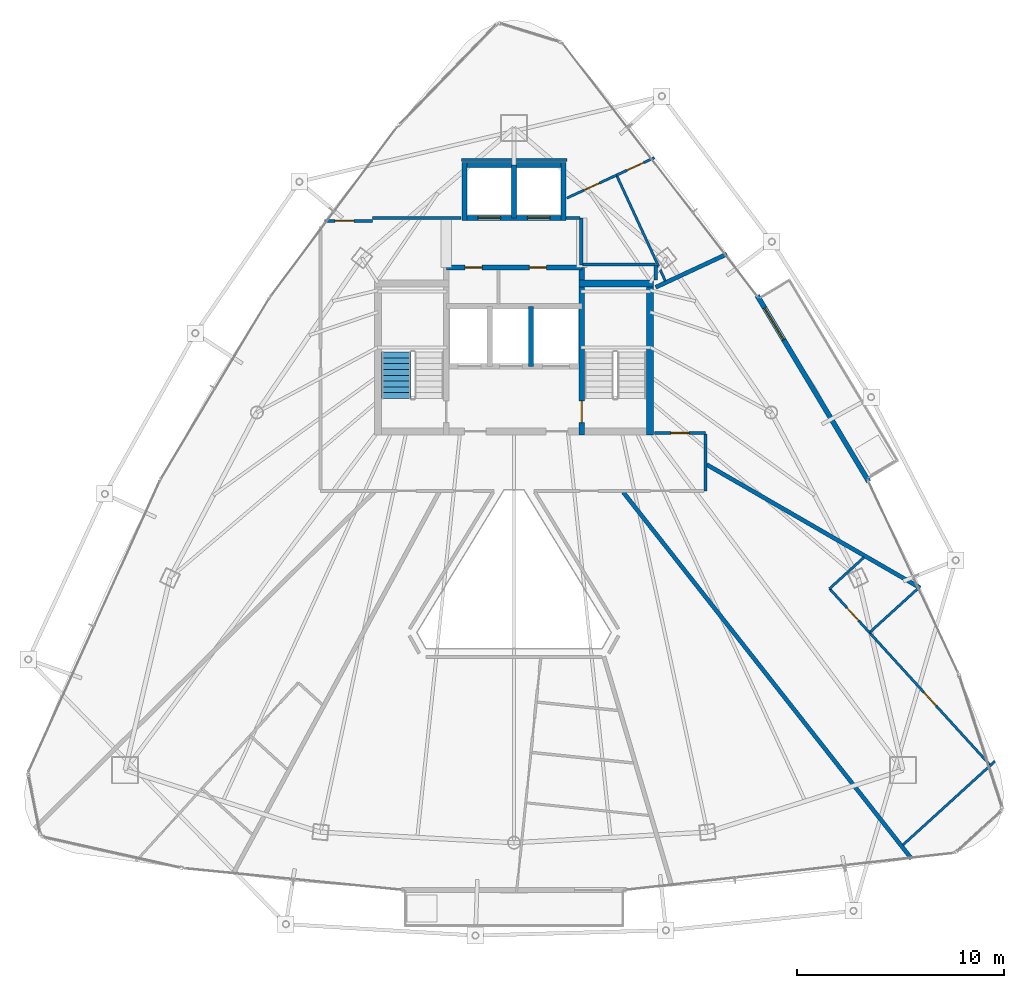
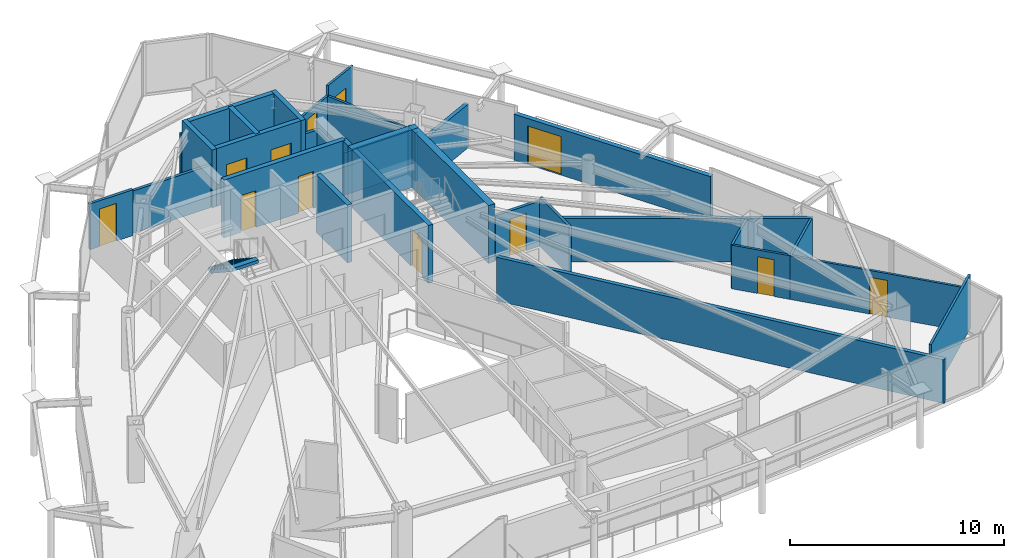
# One storey, part 30 of 34: 31 walls, 12 doors, 1 stair flight, 12 openings, 1 element without a shape of its own.
"""IFC4 building model written with IfcOpenShell, lengths in metres."""

from ifc_helpers import new_model, si_unit, direction, frame, frame_2d, origin, place, context, subcontext, project, spatial, polyline, rectangle, outline, extrude, material, layer, layer_set, type_object, element, fill, aggregate, save


model = new_model("IFC4")

# Units and contexts
model_context = context("Model", 3, precision=1e-05, world=origin(), true_north=direction((0.0, 1.0)))
body_context = subcontext(model_context, "Body", "Model", "MODEL_VIEW")
ifc_project = project(units=[si_unit("LENGTHUNIT", "METRE"), si_unit("AREAUNIT", "SQUARE_METRE"), si_unit("VOLUMEUNIT", "CUBIC_METRE"), si_unit("PLANEANGLEUNIT", "RADIAN"), si_unit("MASSUNIT", "GRAM", prefix="KILO")], contexts=[model_context])

# Site, building, storey
site_placement = place(None, origin())
site = spatial("IfcSite", under=ifc_project, at=site_placement, CompositionType="ELEMENT")
building_placement = place(site_placement, origin())
building = spatial("IfcBuilding", under=site, at=building_placement, Name="Orvanel Arch Residences", CompositionType="ELEMENT")
storey_placement = place(building_placement, frame((0.0, 0.0, 203.0)))
storey = spatial("IfcBuildingStorey", under=building, at=storey_placement, Name="L57", CompositionType="ELEMENT", Elevation=203.0)

# Wall, opening, door
ifc_material_1 = material(Name="Precast concrete N50 (50 MPa)", Category="concrete")
ifc_layer_1 = layer(ifc_material_1, 0.239990234375)
ifc_layer_set_1 = layer_set([ifc_layer_1], Name="Precast concrete N50 (50 MPa)")
wall_type_1 = type_object("IfcWallType", Name="EW-BAL-240", PredefinedType="SOLIDWALL", material=ifc_layer_set_1)
wall_1_placement = place(storey_placement, frame((50.14892578125, 24.300048828125, 0.0), z_axis=(0.0, 0.0, 1.0), x_axis=(-0.514406779101, 0.857546305231, 0.0)))
wall_1 = element("IfcWall", 1, at=wall_1_placement, inside=storey, type_object=wall_type_1, Name="L57 Balcony Threshold Wall Face 3", PredefinedType="SOLIDWALL", context=body_context, shape_type="SweptSolid", body=[
    extrude(rectangle(XDim=10.49169921875, YDim=0.239990234375, at=frame_2d((5.245849609375, 0.0))), origin(), (0.0, 0.0, 1.0), 2.6240234375),
])
opening_1_placement = place(wall_1_placement, frame((7.993896484375, 0.0, 0.0)))
opening_1 = element("IfcOpeningElement", 2, at=opening_1_placement, cuts=wall_1, Name="Opening DB-180", PredefinedType="OPENING", context=body_context, shape_type="SweptSolid", body=[
    extrude(rectangle(XDim=1.800048828125, YDim=2.199951171875, at=frame_2d((0.89990234375, 1.10009765625))), frame((0.0, 0.1298828125, 0.0), z_axis=(0.0, -1.0, 0.0), x_axis=(1.0, 0.0, 0.0)), (0.0, 0.0, 1.0), 0.260009765625),
])
ifc_material_2 = material(Name="Bronze-anodised aluminium AA6063-T6", Category="aluminium")
door_type_1 = type_object("IfcDoorType", Name="DR-BAL-1800", OperationType="NOTDEFINED", PredefinedType="DOOR", material=ifc_material_2)
door_1_placement = place(opening_1_placement, origin())
door_1 = element("IfcDoor", 3, at=door_1_placement, inside=storey, type_object=door_type_1, Name="DR-L57-BAL-F3 L57 Planted Balcony Access Door Face 3", OperationType="SINGLE_SWING_LEFT", OverallHeight=2.199951171875, OverallWidth=1.800048828125, PredefinedType="DOOR", context=body_context, shape_type="SweptSolid", body=[
    extrude(rectangle(XDim=1.800048828125, YDim=2.199951171875, at=frame_2d((0.89990234375, 1.10009765625))), frame((0.0, 0.02490234375, 0.0), z_axis=(0.0, -1.0, 0.0), x_axis=(1.0, 0.0, 0.0)), (0.0, 0.0, 1.0), 0.050048828125),
])
fill(opening_1, door_1)

ifc_material_3 = material(Name="Concrete N50 (50 MPa)", Category="concrete")
ifc_layer_2 = layer(ifc_material_3, 0.25)
ifc_layer_set_2 = layer_set([ifc_layer_2], Name="Concrete N50 (50 MPa)")
wall_type_2 = type_object("IfcWallType", Name="SW-CORE-250", PredefinedType="SHEAR", material=ifc_layer_set_2)
wall_2_placement = place(storey_placement, frame((36.27490234375, 26.550048828125, 0.0), z_axis=(0.0, 0.0, 1.0), x_axis=(0.0, 1.0, 0.0)))
wall_2 = element("IfcWall", 4, at=wall_2_placement, inside=storey, type_object=wall_type_2, Name="L57 East Inner Core Spine Shear Wall", PredefinedType="SHEAR", context=body_context, shape_type="SweptSolid", body=[
    extrude(rectangle(XDim=8.099853515625, YDim=0.25, at=frame_2d((4.0498046875, 0.0))), origin(), (0.0, 0.0, 1.0), 3.300048828125),
])
opening_2_placement = place(wall_2_placement, frame((0.60009765625, 0.0, 0.0)))
opening_2 = element("IfcOpeningElement", 5, at=opening_2_placement, cuts=wall_2, Name="Opening DF-120", PredefinedType="OPENING", context=body_context, shape_type="SweptSolid", body=[
    extrude(rectangle(XDim=1.050048828125, YDim=2.14990234375, at=frame_2d((0.52490234375, 1.074951171875))), frame((0.0, 0.135009765625, 0.0), z_axis=(0.0, -1.0, 0.0), x_axis=(1.0, 0.0, 0.0)), (0.0, 0.0, 1.0), 0.27001953125),
])
ifc_material_4 = material(Name="Galvanised steel fire-resisting door assembly", Category="steel")
door_type_2 = type_object("IfcDoorType", Name="DR-FD120-1050", OperationType="NOTDEFINED", PredefinedType="DOOR", material=ifc_material_4)
door_2_placement = place(opening_2_placement, origin())
door_2 = element("IfcDoor", 6, at=door_2_placement, inside=storey, type_object=door_type_2, Name="DR-L57-ST2 L57 Stair 2 Fire Door", OperationType="SINGLE_SWING_RIGHT", OverallHeight=2.14990234375, OverallWidth=1.050048828125, PredefinedType="DOOR", context=body_context, shape_type="SweptSolid", body=[
    extrude(rectangle(XDim=1.050048828125, YDim=2.14990234375, at=frame_2d((0.52490234375, 1.074951171875))), frame((0.0, 0.02490234375, 0.0), z_axis=(0.0, -1.0, 0.0), x_axis=(1.0, 0.0, 0.0)), (0.0, 0.0, 1.0), 0.050048828125),
])
fill(opening_2, door_2)

# Wall
wall_3_placement = place(storey_placement, frame((33.824951171875, 29.875, 0.0), z_axis=(0.0, 0.0, 1.0), x_axis=(0.0, 1.0, 0.0)))
element("IfcWall", 7, at=wall_3_placement, inside=storey, type_object=wall_type_2, Name="L57 Emergency Lift Inter-Shaft Wall F2G", PredefinedType="SHEAR", context=body_context, shape_type="SweptSolid", body=[
    extrude(rectangle(XDim=2.89990234375, YDim=0.25, at=frame_2d((1.449951171875, 0.0))), origin(), (0.0, 0.0, 1.0), 3.300048828125),
])

# Wall, openings, doors
wall_4_placement = place(storey_placement, frame((29.72509765625, 34.64990234375, 0.0), z_axis=(0.0, 0.0, 1.0), x_axis=(1.0, 0.0, 0.0)))
wall_4 = element("IfcWall", 8, at=wall_4_placement, inside=storey, type_object=wall_type_2, Name="L57 Core Service Band North Shear Wall", PredefinedType="SHEAR", context=body_context, shape_type="SweptSolid", body=[
    extrude(rectangle(XDim=6.5498046875, YDim=0.25, at=frame_2d((3.27490234375, 0.0))), origin(), (0.0, 0.0, 1.0), 3.300048828125),
])
opening_3_placement = place(wall_4_placement, frame((0.9150390625, 0.0, 0.0)))
opening_3 = element("IfcOpeningElement", 9, at=opening_3_placement, cuts=wall_4, Name="Opening DS-082", PredefinedType="OPENING", context=body_context, shape_type="SweptSolid", body=[
    extrude(rectangle(XDim=0.820068359375, YDim=2.10009765625, at=frame_2d((0.41015625, 1.050048828125))), frame((0.0, 0.135009765625, 0.0), z_axis=(0.0, -1.0, 0.0), x_axis=(1.0, 0.0, 0.0)), (0.0, 0.0, 1.0), 0.27001953125),
])
opening_4_placement = place(wall_4_placement, frame((4.014892578125, 0.0, 0.0)))
opening_4 = element("IfcOpeningElement", 10, at=opening_4_placement, cuts=wall_4, Name="Opening DW-082", PredefinedType="OPENING", context=body_context, shape_type="SweptSolid", body=[
    extrude(rectangle(XDim=0.820068359375, YDim=2.10009765625, at=frame_2d((0.41015625, 1.050048828125))), frame((0.0, 0.135009765625, 0.0), z_axis=(0.0, -1.0, 0.0), x_axis=(1.0, 0.0, 0.0)), (0.0, 0.0, 1.0), 0.27001953125),
])
door_type_3 = type_object("IfcDoorType", Name="DR-SVC-820", OperationType="NOTDEFINED", PredefinedType="DOOR", material=ifc_material_4)
door_3_placement = place(opening_3_placement, origin())
door_3 = element("IfcDoor", 11, at=door_3_placement, inside=storey, type_object=door_type_3, Name="DR-L57-CSVC-1 L57 Floor Cleaner's Store Door", OperationType="SINGLE_SWING_LEFT", OverallHeight=2.10009765625, OverallWidth=0.820068359375, PredefinedType="DOOR", context=body_context, shape_type="SweptSolid", body=[
    extrude(rectangle(XDim=0.820068359375, YDim=2.10009765625, at=frame_2d((0.41015625, 1.050048828125))), frame((0.0, 0.02490234375, 0.0), z_axis=(0.0, -1.0, 0.0), x_axis=(1.0, 0.0, 0.0)), (0.0, 0.0, 1.0), 0.050048828125),
])
fill(opening_3, door_3)
ifc_material_5 = material(Name="Solid-core European oak veneer fire door leaf", Category="wood")
door_type_4 = type_object("IfcDoorType", Name="DR-WET-820", OperationType="NOTDEFINED", PredefinedType="DOOR", material=ifc_material_5)
door_4_placement = place(opening_4_placement, origin())
door_4 = element("IfcDoor", 12, at=door_4_placement, inside=storey, type_object=door_type_4, Name="DR-L57-CSVC-2 L57 Core Accessible WC Door", OperationType="SINGLE_SWING_LEFT", OverallHeight=2.10009765625, OverallWidth=0.820068359375, PredefinedType="DOOR", context=body_context, shape_type="SweptSolid", body=[
    extrude(rectangle(XDim=0.820068359375, YDim=2.10009765625, at=frame_2d((0.41015625, 1.050048828125))), frame((0.0, 0.02490234375, 0.0), z_axis=(0.0, -1.0, 0.0), x_axis=(1.0, 0.0, 0.0)), (0.0, 0.0, 1.0), 0.050048828125),
])
fill(opening_4, door_4)

wall_5_placement = place(storey_placement, frame((35.52490234375, 37.050048828125, 0.0), z_axis=(0.0, 0.0, 1.0), x_axis=(-1.0, 0.0, 0.0)))
wall_5 = element("IfcWall", 13, at=wall_5_placement, inside=storey, type_object=wall_type_2, Name="L57 Passenger Lift Bank Front Shear Wall", PredefinedType="SHEAR", context=body_context, shape_type="SweptSolid", body=[
    extrude(rectangle(XDim=5.0498046875, YDim=0.25, at=frame_2d((2.52490234375, 0.0))), origin(), (0.0, 0.0, 1.0), 3.300048828125),
])
opening_5_placement = place(wall_5_placement, frame((3.175048828125, 0.0, 0.0)))
opening_5 = element("IfcOpeningElement", 14, at=opening_5_placement, cuts=wall_5, Name="Opening LD-110", PredefinedType="OPENING", context=body_context, shape_type="SweptSolid", body=[
    extrude(rectangle(XDim=1.10009765625, YDim=2.199951171875, at=frame_2d((0.550048828125, 1.10009765625))), frame((0.0, 0.135009765625, 0.0), z_axis=(0.0, -1.0, 0.0), x_axis=(1.0, 0.0, 0.0)), (0.0, 0.0, 1.0), 0.27001953125),
])
opening_6_placement = place(wall_5_placement, frame((0.77490234375, 0.0, 0.0)))
opening_6 = element("IfcOpeningElement", 15, at=opening_6_placement, cuts=wall_5, Name="Opening LD-110", PredefinedType="OPENING", context=body_context, shape_type="SweptSolid", body=[
    extrude(rectangle(XDim=1.10009765625, YDim=2.199951171875, at=frame_2d((0.550048828125, 1.10009765625))), frame((0.0, 0.135009765625, 0.0), z_axis=(0.0, -1.0, 0.0), x_axis=(1.0, 0.0, 0.0)), (0.0, 0.0, 1.0), 0.27001953125),
])
door_type_5 = type_object("IfcDoorType", Name="DR-LFT-1100", OperationType="NOTDEFINED", PredefinedType="DOOR", material=ifc_material_4)
door_5_placement = place(opening_5_placement, origin())
door_5 = element("IfcDoor", 16, at=door_5_placement, inside=storey, type_object=door_type_5, Name="LD-P5-L57 L57 Passenger Lift P5 Sliding Landing Door", OperationType="DOUBLE_DOOR_SLIDING", OverallHeight=2.199951171875, OverallWidth=1.10009765625, PredefinedType="DOOR", context=body_context, shape_type="SweptSolid", body=[
    extrude(rectangle(XDim=1.10009765625, YDim=2.199951171875, at=frame_2d((0.550048828125, 1.10009765625))), frame((0.0, 0.02490234375, 0.0), z_axis=(0.0, -1.0, 0.0), x_axis=(1.0, 0.0, 0.0)), (0.0, 0.0, 1.0), 0.050048828125),
])
fill(opening_5, door_5)
door_6_placement = place(opening_6_placement, origin())
door_6 = element("IfcDoor", 17, at=door_6_placement, inside=storey, type_object=door_type_5, Name="LD-P6-L57 L57 Passenger Lift P6 Sliding Landing Door", OperationType="DOUBLE_DOOR_SLIDING", OverallHeight=2.199951171875, OverallWidth=1.10009765625, PredefinedType="DOOR", context=body_context, shape_type="SweptSolid", body=[
    extrude(rectangle(XDim=1.10009765625, YDim=2.199951171875, at=frame_2d((0.550048828125, 1.10009765625))), frame((0.0, 0.02490234375, 0.0), z_axis=(0.0, -1.0, 0.0), x_axis=(1.0, 0.0, 0.0)), (0.0, 0.0, 1.0), 0.050048828125),
])
fill(opening_6, door_6)

# Walls
wall_6_placement = place(storey_placement, frame((30.47509765625, 39.60009765625, 0.0), z_axis=(0.0, 0.0, 1.0), x_axis=(1.0, 0.0, 0.0)))
element("IfcWall", 18, at=wall_6_placement, inside=storey, type_object=wall_type_2, Name="L57 Passenger Lift Bank North Shear Wall", PredefinedType="SHEAR", context=body_context, shape_type="SweptSolid", body=[
    extrude(rectangle(XDim=5.0498046875, YDim=0.25, at=frame_2d((2.52490234375, 0.0))), origin(), (0.0, 0.0, 1.0), 3.300048828125),
])
for number, where, z_axis, x_axis, name in (
    (19, (30.60009765625, 36.925048828125, 0.0), (0.0, 0.0, 1.0), (0.0, 1.0, 0.0), "L57 Passenger Lift Bank West Shear Wall"),
    (20, (35.39990234375, 36.925048828125, 0.0), (0.0, 0.0, 1.0), (0.0, 1.0, 0.0), "L57 Passenger Lift Bank East Shear Wall"),
):
    element("IfcWall", number, at=place(storey_placement, frame(where, z_axis=z_axis, x_axis=x_axis)), inside=storey, type_object=wall_type_2, Name=name, PredefinedType="SHEAR", context=body_context, shape_type="SweptSolid", body=[
        extrude(rectangle(XDim=2.800048828125, YDim=0.25, at=frame_2d((1.39990234375, 0.0))), origin(), (0.0, 0.0, 1.0), 3.300048828125),
    ])
wall_7_placement = place(storey_placement, frame((33.0, 37.050048828125, 0.0), z_axis=(0.0, 0.0, 1.0), x_axis=(0.0, 1.0, 0.0)))
element("IfcWall", 21, at=wall_7_placement, inside=storey, type_object=wall_type_2, Name="L57 Passenger Lift Inter-Shaft Wall P56", PredefinedType="SHEAR", context=body_context, shape_type="SweptSolid", body=[
    extrude(rectangle(XDim=2.550048828125, YDim=0.25, at=frame_2d((1.27490234375, 0.0))), origin(), (0.0, 0.0, 1.0), 3.300048828125),
])
ifc_layer_3 = layer(ifc_material_3, 0.35009765625)
ifc_layer_set_3 = layer_set([ifc_layer_3], Name="Concrete N50 (50 MPa)")
wall_type_3 = type_object("IfcWallType", Name="SW-CORE-350", PredefinedType="SHEAR", material=ifc_layer_set_3)
wall_8_placement = place(storey_placement, frame((39.574951171875, 26.550048828125, 0.0), z_axis=(0.0, 0.0, 1.0), x_axis=(0.0, 1.0, 0.0)))
element("IfcWall", 22, at=wall_8_placement, inside=storey, type_object=wall_type_3, Name="L57 East Stair Shear Wall", PredefinedType="SHEAR", context=body_context, shape_type="SweptSolid", body=[
    extrude(rectangle(XDim=7.5, YDim=0.35009765625, at=frame_2d((3.75, 0.0))), origin(), (0.0, 0.0, 1.0), 3.300048828125),
])
wall_9_placement = place(storey_placement, frame((36.14990234375, 33.875, 0.0), z_axis=(0.0, 0.0, 1.0), x_axis=(1.0, 0.0, 0.0)))
element("IfcWall", 23, at=wall_9_placement, inside=storey, type_object=wall_type_3, Name="L57 East Stair North Shear Wall", PredefinedType="SHEAR", context=body_context, shape_type="SweptSolid", body=[
    extrude(rectangle(XDim=3.60009765625, YDim=0.35009765625, at=frame_2d((1.800048828125, 0.0))), origin(), (0.0, 0.0, 1.0), 3.300048828125),
])
ifc_material_6 = material(Name="Fire-rated plasterboard lined steel stud partition", Category="steel")
ifc_layer_4 = layer(ifc_material_6, 0.14990234375)
ifc_layer_set_4 = layer_set([ifc_layer_4], Name="Fire-rated plasterboard lined steel stud partition")
wall_type_4 = type_object("IfcWallType", Name="W-COR-150", PredefinedType="PARTITIONING", material=ifc_layer_set_4)
wall_10_placement = place(storey_placement, frame((36.25, 34.760009765625, 0.0), z_axis=(0.0, 0.0, 1.0), x_axis=(0.0, 1.0, 0.0)))
element("IfcWall", 24, at=wall_10_placement, inside=storey, type_object=wall_type_4, Name="L57 Passenger Lift Lobby East Closure Wall", PredefinedType="PARTITIONING", context=body_context, shape_type="SweptSolid", body=[
    extrude(rectangle(XDim=2.2900390625, YDim=0.14990234375, at=frame_2d((1.14501953125, 0.0))), origin(), (0.0, 0.0, 1.0), 2.425048828125),
])
wall_11_placement = place(storey_placement, frame((35.52490234375, 37.050048828125, 0.0), z_axis=(0.0, 0.0, 1.0), x_axis=(1.0, 0.0, 0.0)))
element("IfcWall", 25, at=wall_11_placement, inside=storey, type_object=wall_type_4, Name="L57 Passenger Lift Lobby North-East Wall", PredefinedType="PARTITIONING", context=body_context, shape_type="SweptSolid", body=[
    extrude(rectangle(XDim=0.6650390625, YDim=0.14990234375, at=frame_2d((0.33251953125, 0.0))), origin(), (0.0, 0.0, 1.0), 2.425048828125),
])

# Wall, opening, door
wall_12_placement = place(storey_placement, frame((23.8310546875, 36.89990234375, 0.0), z_axis=(0.0, 0.0, 1.0), x_axis=(1.0, 0.0, 0.0)))
wall_12 = element("IfcWall", 26, at=wall_12_placement, inside=storey, type_object=wall_type_4, Name="L57 Corridor Fire-Rated Partition", PredefinedType="PARTITIONING", context=body_context, shape_type="SweptSolid", body=[
    extrude(rectangle(XDim=2.31884765625, YDim=0.14990234375, at=frame_2d((1.159423828125, 0.0))), origin(), (0.0, 0.0, 1.0), 2.618896484375),
])
opening_7_placement = place(wall_12_placement, frame((0.510009765625, 0.0, 0.0)))
opening_7 = element("IfcOpeningElement", 27, at=opening_7_placement, cuts=wall_12, Name="Opening DA-092", PredefinedType="OPENING", context=body_context, shape_type="SweptSolid", body=[
    extrude(rectangle(XDim=0.919921875, YDim=2.14990234375, at=frame_2d((0.4599609375, 1.074951171875))), frame((0.0, 0.0849609375, 0.0), z_axis=(0.0, -1.0, 0.0), x_axis=(1.0, 0.0, 0.0)), (0.0, 0.0, 1.0), 0.169921875),
])
door_type_6 = type_object("IfcDoorType", Name="DR-APT-920", OperationType="NOTDEFINED", PredefinedType="DOOR", material=ifc_material_5)
door_7_placement = place(opening_7_placement, origin())
door_7 = element("IfcDoor", 28, at=door_7_placement, inside=storey, type_object=door_type_6, Name="DR-L57-F-ENT L57 Studio F Entrance Door", OperationType="SINGLE_SWING_LEFT", OverallHeight=2.14990234375, OverallWidth=0.919921875, PredefinedType="DOOR", context=body_context, shape_type="SweptSolid", body=[
    extrude(rectangle(XDim=0.919921875, YDim=2.14990234375, at=frame_2d((0.4599609375, 1.074951171875))), frame((0.0, 0.02490234375, 0.0), z_axis=(0.0, -1.0, 0.0), x_axis=(1.0, 0.0, 0.0)), (0.0, 0.0, 1.0), 0.050048828125),
])
fill(opening_7, door_7)

wall_13_placement = place(storey_placement, frame((39.7900390625, 26.64990234375, 0.0), z_axis=(0.0, 0.0, 1.0), x_axis=(1.0, 0.0, 0.0)))
wall_13 = element("IfcWall", 29, at=wall_13_placement, inside=storey, type_object=wall_type_4, Name="L57 Corridor Fire-Rated Partition", PredefinedType="PARTITIONING", context=body_context, shape_type="SweptSolid", body=[
    extrude(rectangle(XDim=2.4599609375, YDim=0.14990234375, at=frame_2d((1.22998046875, 0.0))), origin(), (0.0, 0.0, 1.0), 2.56494140625),
])
opening_8_placement = place(wall_13_placement, frame((0.7900390625, 0.0, 0.0)))
opening_8 = element("IfcOpeningElement", 30, at=opening_8_placement, cuts=wall_13, Name="Opening DI-088", PredefinedType="OPENING", context=body_context, shape_type="SweptSolid", body=[
    extrude(rectangle(XDim=0.8798828125, YDim=2.10009765625, at=frame_2d((0.43994140625, 1.050048828125))), frame((0.0, 0.0849609375, 0.0), z_axis=(0.0, -1.0, 0.0), x_axis=(1.0, 0.0, 0.0)), (0.0, 0.0, 1.0), 0.169921875),
])
door_type_7 = type_object("IfcDoorType", Name="DR-INT-880", OperationType="NOTDEFINED", PredefinedType="DOOR", material=ifc_material_5)
door_8_placement = place(opening_8_placement, origin())
door_8 = element("IfcDoor", 31, at=door_8_placement, inside=storey, type_object=door_type_7, Name="DR-L57-SHRD-FB7 L57 Co-Working Study Office G Door", OperationType="SINGLE_SWING_LEFT", OverallHeight=2.10009765625, OverallWidth=0.8798828125, PredefinedType="DOOR", context=body_context, shape_type="SweptSolid", body=[
    extrude(rectangle(XDim=0.8798828125, YDim=2.10009765625, at=frame_2d((0.43994140625, 1.050048828125))), frame((0.0, 0.02490234375, 0.0), z_axis=(0.0, -1.0, 0.0), x_axis=(1.0, 0.0, 0.0)), (0.0, 0.0, 1.0), 0.050048828125),
])
fill(opening_8, door_8)

# Walls
wall_14_placement = place(storey_placement, frame((42.25, 26.590087890625, 0.0), z_axis=(0.0, 0.0, 1.0), x_axis=(0.0, -1.0, 0.0)))
element("IfcWall", 32, at=wall_14_placement, inside=storey, type_object=wall_type_4, Name="L57 Corridor Fire-Rated Partition", PredefinedType="PARTITIONING", context=body_context, shape_type="SweptSolid", body=[
    extrude(rectangle(XDim=2.739990234375, YDim=0.14990234375, at=frame_2d((1.3701171875, 0.0))), origin(), (0.0, 0.0, 1.0), 2.77294921875),
])
wall_15_placement = place(storey_placement, frame((26.14990234375, 37.050048828125, 0.0), z_axis=(0.0, 0.0, 1.0), x_axis=(1.0, 0.0, 0.0)))
element("IfcWall", 33, at=wall_15_placement, inside=storey, type_object=wall_type_4, Name="L57 Core Perimeter Partition", PredefinedType="PARTITIONING", context=body_context, shape_type="SweptSolid", body=[
    extrude(rectangle(XDim=4.300048828125, YDim=0.14990234375, at=frame_2d((2.14990234375, 0.0))), origin(), (0.0, 0.0, 1.0), 2.425048828125),
])
wall_16_placement = place(storey_placement, frame((30.449951171875, 39.85009765625, 0.0), z_axis=(0.0, 0.0, 1.0), x_axis=(1.0, 0.0, 0.0)))
element("IfcWall", 34, at=wall_16_placement, inside=storey, type_object=wall_type_4, Name="L57 Core Perimeter Partition", PredefinedType="PARTITIONING", context=body_context, shape_type="SweptSolid", body=[
    extrude(rectangle(XDim=5.10009765625, YDim=0.14990234375, at=frame_2d((2.550048828125, 0.0))), origin(), (0.0, 0.0, 1.0), 2.491943359375),
])
wall_17_placement = place(storey_placement, frame((36.31005859375, 34.800048828125, 0.0), z_axis=(0.0, 0.0, 1.0), x_axis=(1.0, 0.0, 0.0)))
element("IfcWall", 35, at=wall_17_placement, inside=storey, type_object=wall_type_4, Name="L57 Core Perimeter Partition", PredefinedType="PARTITIONING", context=body_context, shape_type="SweptSolid", body=[
    extrude(rectangle(XDim=3.5400390625, YDim=0.14990234375, at=frame_2d((1.77001953125, 0.0))), origin(), (0.0, 0.0, 1.0), 2.425048828125),
])
wall_18_placement = place(storey_placement, frame((39.85009765625, 34.739990234375, 0.0), z_axis=(0.0, 0.0, 1.0), x_axis=(0.0, -1.0, 0.0)))
element("IfcWall", 36, at=wall_18_placement, inside=storey, type_object=wall_type_4, Name="L57 Core Perimeter Partition", PredefinedType="PARTITIONING", context=body_context, shape_type="SweptSolid", body=[
    extrude(rectangle(XDim=0.68994140625, YDim=0.14990234375, at=frame_2d((0.344970703125, 0.0))), origin(), (0.0, 0.0, 1.0), 2.77294921875),
])
ifc_layer_5 = layer(ifc_material_6, 0.199951171875)
ifc_layer_set_5 = layer_set([ifc_layer_5], Name="Fire-rated plasterboard lined steel stud partition")
wall_type_5 = type_object("IfcWallType", Name="W-DEM-200", PredefinedType="PARTITIONING", material=ifc_layer_set_5)
wall_19_placement = place(storey_placement, frame((52.214111328125, 6.072998046875, 0.0), z_axis=(0.0, 0.0, 1.0), x_axis=(-0.618246700658, 0.785984107425, 0.0)))
element("IfcWall", 37, at=wall_19_placement, inside=storey, type_object=wall_type_5, Name="L57 Inter-Tenancy Acoustic Demising Wall", PredefinedType="PARTITIONING", context=body_context, shape_type="SweptSolid", body=[
    extrude(rectangle(XDim=22.541259765625, YDim=0.199951171875, at=frame_2d((11.2705078125, 0.0))), origin(), (0.0, 0.0, 1.0), 2.491943359375),
])
wall_20_placement = place(storey_placement, frame((42.31005859375, 25.125, 0.0), z_axis=(0.0, 0.0, 1.0), x_axis=(0.866001812803, -0.500040858552, 0.0)))
element("IfcWall", 38, at=wall_20_placement, inside=storey, type_object=wall_type_5, Name="L57 Inter-Tenancy Acoustic Demising Wall", PredefinedType="PARTITIONING", context=body_context, shape_type="SweptSolid", body=[
    extrude(rectangle(XDim=11.9248046875, YDim=0.199951171875, at=frame_2d((5.96240234375, 0.0))), origin(), (0.0, 0.0, 1.0), 2.491943359375),
])
wall_21_placement = place(storey_placement, frame((43.2890625, 35.298095703125, 0.0), z_axis=(0.0, 0.0, 1.0), x_axis=(-0.906268592738, -0.422702304011, 0.0)))
element("IfcWall", 39, at=wall_21_placement, inside=storey, type_object=wall_type_5, Name="L57 Inter-Tenancy Acoustic Demising Wall", PredefinedType="PARTITIONING", context=body_context, shape_type="SweptSolid", body=[
    extrude(rectangle(XDim=3.794677734375, YDim=0.199951171875, at=frame_2d((1.8974609375, 0.0))), origin(), (0.0, 0.0, 1.0), 2.491943359375),
])
ifc_material_7 = material(Name="Acoustic plasterboard lined twin-stud partition", Category="gypsum")
ifc_layer_6 = layer(ifc_material_7, 0.1201171875)
ifc_layer_set_6 = layer_set([ifc_layer_6], Name="Acoustic plasterboard lined twin-stud partition")
wall_type_6 = type_object("IfcWallType", Name="W-WET-120", PredefinedType="PARTITIONING", material=ifc_layer_set_6)
wall_22_placement = place(storey_placement, frame((49.9150390625, 20.635009765625, 0.0), z_axis=(0.0, 0.0, 1.0), x_axis=(-0.739748179987, -0.672883816276, 0.0)))
element("IfcWall", 40, at=wall_22_placement, inside=storey, type_object=wall_type_6, Name="L57 Studio C Bathroom Partition", PredefinedType="PARTITIONING", context=body_context, shape_type="SweptSolid", body=[
    extrude(rectangle(XDim=2.24560546875, YDim=0.1201171875, at=frame_2d((1.122802734375, 0.0))), origin(), (0.0, 0.0, 1.0), 2.491943359375),
])

# Wall, opening, door
wall_23_placement = place(storey_placement, frame((48.25390625, 19.1240234375, 0.0), z_axis=(0.0, 0.0, 1.0), x_axis=(0.672884473084, -0.739747582546, 0.0)))
wall_23 = element("IfcWall", 41, at=wall_23_placement, inside=storey, type_object=wall_type_6, Name="L57 Studio C Bathroom Partition", PredefinedType="PARTITIONING", context=body_context, shape_type="SweptSolid", body=[
    extrude(rectangle(XDim=2.869873046875, YDim=0.1201171875, at=frame_2d((1.43505859375, 0.0))), origin(), (0.0, 0.0, 1.0), 2.491943359375),
])
opening_9_placement = place(wall_23_placement, frame((1.260009765625, 0.0, 0.0)))
opening_9 = element("IfcOpeningElement", 42, at=opening_9_placement, cuts=wall_23, Name="Opening DW-082", PredefinedType="OPENING", context=body_context, shape_type="SweptSolid", body=[
    extrude(rectangle(XDim=0.820068359375, YDim=2.10009765625, at=frame_2d((0.41015625, 1.050048828125))), frame((0.0, 0.070068359375, 0.0), z_axis=(0.0, -1.0, 0.0), x_axis=(1.0, 0.0, 0.0)), (0.0, 0.0, 1.0), 0.14013671875),
])
door_9_placement = place(opening_9_placement, origin())
door_9 = element("IfcDoor", 43, at=door_9_placement, inside=storey, type_object=door_type_4, Name="DR-L57-C-BATH L57 Studio C Bathroom Door", OperationType="SINGLE_SWING_RIGHT", OverallHeight=2.10009765625, OverallWidth=0.820068359375, PredefinedType="DOOR", context=body_context, shape_type="SweptSolid", body=[
    extrude(rectangle(XDim=0.820068359375, YDim=2.10009765625, at=frame_2d((0.41015625, 1.050048828125))), frame((0.0, 0.02490234375, 0.0), z_axis=(0.0, -1.0, 0.0), x_axis=(1.0, 0.0, 0.0)), (0.0, 0.0, 1.0), 0.050048828125),
])
fill(opening_9, door_9)

wall_24_placement = place(storey_placement, frame((50.18505859375, 17.0009765625, 0.0), z_axis=(0.0, 0.0, 1.0), x_axis=(0.672902356661, -0.739731315005, 0.0)))
wall_24 = element("IfcWall", 44, at=wall_24_placement, inside=storey, type_object=wall_type_6, Name="L57 Studio C Internal Partition", PredefinedType="PARTITIONING", context=body_context, shape_type="SweptSolid", body=[
    extrude(rectangle(XDim=8.679931640625, YDim=0.1201171875, at=frame_2d((4.33984375, 0.0))), origin(), (0.0, 0.0, 1.0), 2.491943359375),
])
opening_10_placement = place(wall_24_placement, frame((3.89990234375, 0.0, 0.0)))
opening_10 = element("IfcOpeningElement", 45, at=opening_10_placement, cuts=wall_24, Name="Opening DI-088", PredefinedType="OPENING", context=body_context, shape_type="SweptSolid", body=[
    extrude(rectangle(XDim=0.8798828125, YDim=2.10009765625, at=frame_2d((0.43994140625, 1.050048828125))), frame((0.0, 0.070068359375, 0.0), z_axis=(0.0, -1.0, 0.0), x_axis=(1.0, 0.0, 0.0)), (0.0, 0.0, 1.0), 0.14013671875),
])
door_10_placement = place(opening_10_placement, origin())
door_10 = element("IfcDoor", 46, at=door_10_placement, inside=storey, type_object=door_type_7, Name="DR-L57-C-KIT L57 Studio C Kitchenette Door", OperationType="SINGLE_SWING_LEFT", OverallHeight=2.10009765625, OverallWidth=0.8798828125, PredefinedType="DOOR", context=body_context, shape_type="SweptSolid", body=[
    extrude(rectangle(XDim=0.8798828125, YDim=2.10009765625, at=frame_2d((0.43994140625, 1.050048828125))), frame((0.0, 0.02490234375, 0.0), z_axis=(0.0, -1.0, 0.0), x_axis=(1.0, 0.0, 0.0)), (0.0, 0.0, 1.0), 0.050048828125),
])
fill(opening_10, door_10)

# Walls
wall_25_placement = place(storey_placement, frame((56.248046875, 10.782958984375, 0.0), z_axis=(0.0, 0.0, 1.0), x_axis=(-0.739671804489, -0.672967771624, 0.0)))
element("IfcWall", 47, at=wall_25_placement, inside=storey, type_object=wall_type_6, Name="L57 Studio C Internal Partition", PredefinedType="PARTITIONING", context=body_context, shape_type="SweptSolid", body=[
    extrude(rectangle(XDim=6.013427734375, YDim=0.1201171875, at=frame_2d((3.0068359375, 0.0))), origin(), (0.0, 0.0, 1.0), 3.06005859375),
])
wall_26_placement = place(storey_placement, frame((52.52392578125, 19.12890625, 0.0), z_axis=(0.0, 0.0, 1.0), x_axis=(-0.739674496232, -0.672964813065, 0.0)))
element("IfcWall", 48, at=wall_26_placement, inside=storey, type_object=wall_type_6, Name="L57 Studio C Bathroom Partition", PredefinedType="PARTITIONING", context=body_context, shape_type="SweptSolid", body=[
    extrude(rectangle(XDim=3.162109375, YDim=0.1201171875, at=frame_2d((1.5810546875, 0.0))), origin(), (0.0, 0.0, 1.0), 2.491943359375),
])

# Wall, opening, door
wall_27_placement = place(storey_placement, frame((37.955078125, 39.114013671875, 0.0), z_axis=(0.0, 0.0, 1.0), x_axis=(-0.907945896046, -0.41908740121, 0.0)))
wall_27 = element("IfcWall", 49, at=wall_27_placement, inside=storey, type_object=wall_type_6, Name="L57 Studio F Bathroom Partition", PredefinedType="PARTITIONING", context=body_context, shape_type="SweptSolid", body=[
    extrude(rectangle(XDim=2.64892578125, YDim=0.1201171875, at=frame_2d((1.324462890625, 0.0))), origin(), (0.0, 0.0, 1.0), 2.491943359375),
])
opening_11_placement = place(wall_27_placement, frame((0.9140625, 0.0, 0.0)))
opening_11 = element("IfcOpeningElement", 50, at=opening_11_placement, cuts=wall_27, Name="Opening DW-082", PredefinedType="OPENING", context=body_context, shape_type="SweptSolid", body=[
    extrude(rectangle(XDim=0.820068359375, YDim=2.10009765625, at=frame_2d((0.41015625, 1.050048828125))), frame((0.0, 0.070068359375, 0.0), z_axis=(0.0, -1.0, 0.0), x_axis=(1.0, 0.0, 0.0)), (0.0, 0.0, 1.0), 0.14013671875),
])
door_11_placement = place(opening_11_placement, origin())
door_11 = element("IfcDoor", 51, at=door_11_placement, inside=storey, type_object=door_type_4, Name="DR-L57-F-BATH L57 Studio F Bathroom Door", OperationType="SINGLE_SWING_RIGHT", OverallHeight=2.10009765625, OverallWidth=0.820068359375, PredefinedType="DOOR", context=body_context, shape_type="SweptSolid", body=[
    extrude(rectangle(XDim=0.820068359375, YDim=2.10009765625, at=frame_2d((0.41015625, 1.050048828125))), frame((0.0, 0.02490234375, 0.0), z_axis=(0.0, -1.0, 0.0), x_axis=(1.0, 0.0, 0.0)), (0.0, 0.0, 1.0), 0.050048828125),
])
fill(opening_11, door_11)

wall_28_placement = place(storey_placement, frame((39.785888671875, 39.958984375, 0.0), z_axis=(0.0, 0.0, 1.0), x_axis=(-0.90796292821, -0.419050499338, 0.0)))
wall_28 = element("IfcWall", 52, at=wall_28_placement, inside=storey, type_object=wall_type_6, Name="L57 Studio F Internal Partition", PredefinedType="PARTITIONING", context=body_context, shape_type="SweptSolid", body=[
    extrude(rectangle(XDim=2.016357421875, YDim=0.1201171875, at=frame_2d((1.00830078125, 0.0))), origin(), (0.0, 0.0, 1.0), 3.06005859375),
])
opening_12_placement = place(wall_28_placement, frame((0.568115234375, 0.0, 0.0)))
opening_12 = element("IfcOpeningElement", 53, at=opening_12_placement, cuts=wall_28, Name="Opening DI-088", PredefinedType="OPENING", context=body_context, shape_type="SweptSolid", body=[
    extrude(rectangle(XDim=0.8798828125, YDim=2.10009765625, at=frame_2d((0.43994140625, 1.050048828125))), frame((0.0, 0.070068359375, 0.0), z_axis=(0.0, -1.0, 0.0), x_axis=(1.0, 0.0, 0.0)), (0.0, 0.0, 1.0), 0.14013671875),
])
door_12_placement = place(opening_12_placement, origin())
door_12 = element("IfcDoor", 54, at=door_12_placement, inside=storey, type_object=door_type_7, Name="DR-L57-F-KIT L57 Studio F Kitchenette Door", OperationType="SINGLE_SWING_LEFT", OverallHeight=2.10009765625, OverallWidth=0.8798828125, PredefinedType="DOOR", context=body_context, shape_type="SweptSolid", body=[
    extrude(rectangle(XDim=0.8798828125, YDim=2.10009765625, at=frame_2d((0.43994140625, 1.050048828125))), frame((0.0, 0.02490234375, 0.0), z_axis=(0.0, -1.0, 0.0), x_axis=(1.0, 0.0, 0.0)), (0.0, 0.0, 1.0), 0.050048828125),
])
fill(opening_12, door_12)

# Wall
wall_29_placement = place(storey_placement, frame((37.955078125, 39.114013671875, 0.0), z_axis=(0.0, 0.0, 1.0), x_axis=(0.41911319203, -0.907933991139, 0.0)))
element("IfcWall", 55, at=wall_29_placement, inside=storey, type_object=wall_type_6, Name="L57 Studio F Bathroom Partition", PredefinedType="PARTITIONING", context=body_context, shape_type="SweptSolid", body=[
    extrude(rectangle(XDim=5.628173828125, YDim=0.1201171875, at=frame_2d((2.81396484375, 0.0))), origin(), (0.0, 0.0, 1.0), 2.491943359375),
])

# Stair, stair flight
stair_type = type_object("IfcStairType", Name="STR-DOG-184", PredefinedType="USERDEFINED", material=ifc_material_1)
stair_placement = place(storey_placement, origin())
stair = element("IfcStair", 56, at=stair_placement, inside=storey, type_object=stair_type, Name="L57 Fire-Isolated Core Exit Stair 1", ObjectType="TWO_RETURN_STAIR", PredefinedType="USERDEFINED")
stair_flight_type = type_object("IfcStairFlightType", Name="SFL-C1-184", PredefinedType="STRAIGHT", material=ifc_material_1)
stair_flight_placement = place(storey_placement, frame((27.31005859375, 30.56005859375, 1.64990234375), z_axis=(0.0, 0.0, 1.0), x_axis=(0.0, -1.0, 0.0)))
stair_flight = element("IfcStairFlight", 57, at=stair_flight_placement, type_object=stair_flight_type, Name="ST-1 flight 2", NumberOfRisers=9, NumberOfTreads=8, PredefinedType="STRAIGHT", RiserHeight=0.183333333, TreadLength=0.28, context=body_context, shape_type="SweptSolid", body=[
    extrude(outline(polyline([(0.0, 0.0), (0.0, 0.183349609375), (0.280029296875, 0.183349609375), (0.280029296875, 0.36669921875), (0.56005859375, 0.36669921875), (0.56005859375, 0.550048828125), (0.840087890625, 0.550048828125), (0.840087890625, 0.7333984375), (1.1201171875, 0.7333984375), (1.1201171875, 0.916748046875), (1.39990234375, 0.916748046875), (1.39990234375, 1.10009765625), (1.679931640625, 1.10009765625), (1.679931640625, 1.283447265625), (1.9599609375, 1.283447265625), (1.9599609375, 1.466552734375), (2.239990234375, 1.466552734375), (2.239990234375, 1.64990234375), (2.239990234375, 1.28759765625), (0.273681640625, 0.0), (0.0, 0.0)])), frame((0.0, 0.7099609375, 0.0), z_axis=(0.0, -1.0, 0.0), x_axis=(1.0, 0.0, 0.0)), (0.0, 0.0, 1.0), 1.419921875),
])
aggregate(stair, [stair_flight])

save(model, "model.ifc")
